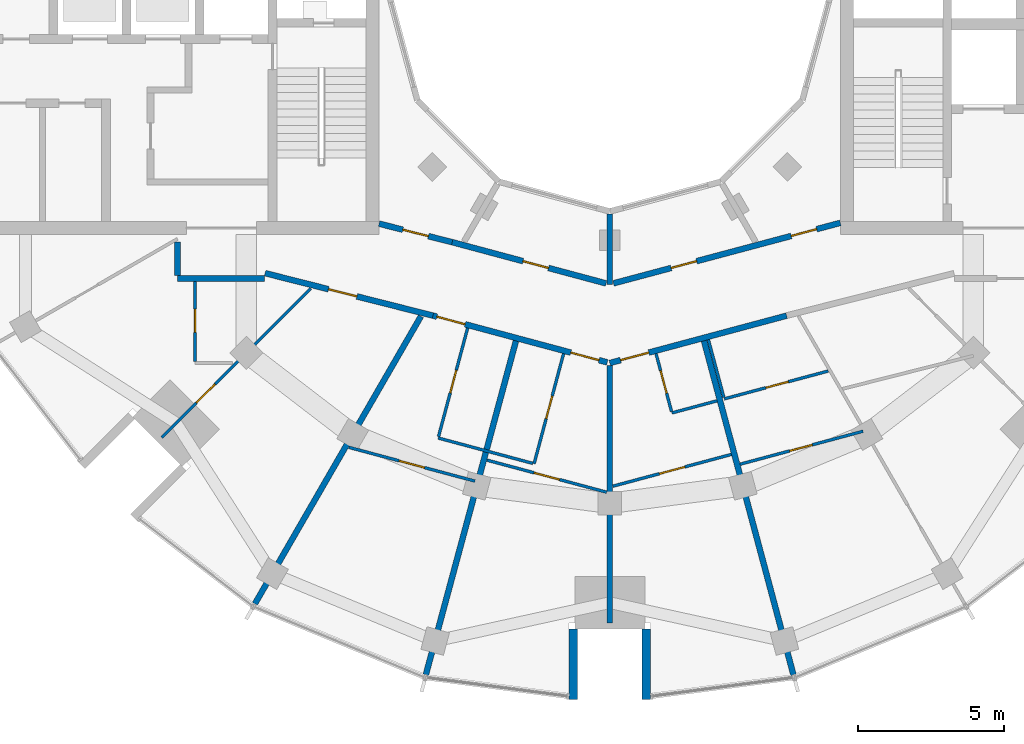
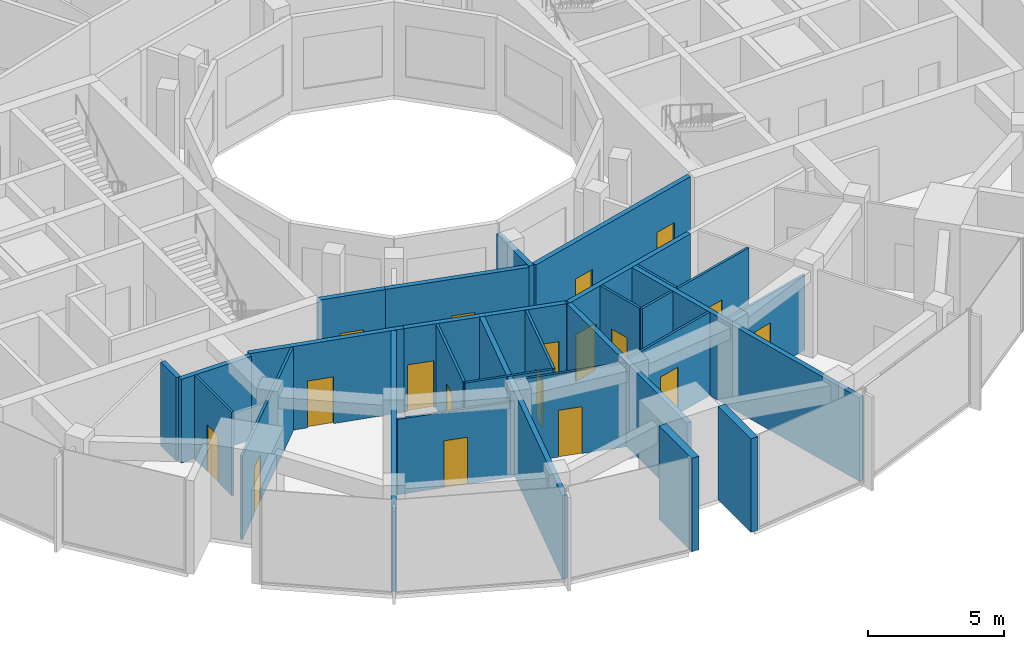
# One storey, part 8 of 15: 28 walls, 18 doors, 18 openings.
"""IFC4 building model written with IfcOpenShell, lengths in metres."""

from ifc_helpers import new_model, si_unit, direction, frame, frame_2d, origin, place, context, subcontext, project, spatial, rectangle, extrude, material, layer, layer_set, type_object, element, fill, save


model = new_model("IFC4")

# Units and contexts
model_context = context("Model", 3, precision=1e-05, world=origin(), true_north=direction((0.0, 1.0)))
body_context = subcontext(model_context, "Body", "Model", "MODEL_VIEW")
ifc_project = project(units=[si_unit("LENGTHUNIT", "METRE"), si_unit("AREAUNIT", "SQUARE_METRE"), si_unit("VOLUMEUNIT", "CUBIC_METRE"), si_unit("PLANEANGLEUNIT", "RADIAN"), si_unit("MASSUNIT", "GRAM", prefix="KILO")], contexts=[model_context])

# Site, building, storey
site_placement = place(None, origin())
site = spatial("IfcSite", under=ifc_project, at=site_placement, CompositionType="ELEMENT")
building_placement = place(site_placement, origin())
building = spatial("IfcBuilding", under=site, at=building_placement, Name="Torre Brocal", CompositionType="ELEMENT")
storey_placement = place(building_placement, frame((0.0, 0.0, 284.10009765625)))
storey = spatial("IfcBuildingStorey", under=building, at=storey_placement, Name="L65", CompositionType="ELEMENT", Elevation=284.10009765625)

# Walls
ifc_material_1 = material(Name="Concrete C50", Category="concrete")
ifc_layer_1 = layer(ifc_material_1, 0.300048828125)
ifc_layer_set_1 = layer_set([ifc_layer_1], Name="Concrete C50")
wall_type_1 = type_object("IfcWallType", Name="NOTCH RETURN WALL 300 C50", PredefinedType="NOTDEFINED", material=ifc_layer_set_1)
for number, where, z_axis, x_axis, name in (
    (1, (78.75, 53.10009765625, 0.0), (0.0, 0.0, 1.0), (0.0, -1.0, 0.0), "NOTCH RETURN WALL"),
    (2, (81.25, 53.10009765625, 0.0), (0.0, 0.0, 1.0), (0.0, -1.0, 0.0), "NOTCH RETURN WALL"),
):
    element("IfcWall", number, at=place(storey_placement, frame(where, z_axis=z_axis, x_axis=x_axis)), inside=storey, type_object=wall_type_1, Name=name, PredefinedType="NOTDEFINED", context=body_context, shape_type="SweptSolid", body=[
        extrude(rectangle(XDim=2.415771484375, YDim=0.300048828125, at=frame_2d((1.2080078125, 0.0))), origin(), (0.0, 0.0, 1.0), 4.199951171875),
    ])

# Wall, opening, door
ifc_material_2 = material(Name="Gypsum board", Category="Gypsum")
ifc_layer_2 = layer(ifc_material_2, 0.10009765625)
ifc_layer_set_2 = layer_set([ifc_layer_2], Name="Gypsum board")
wall_type_2 = type_object("IfcWallType", Name="PARTITION 100", PredefinedType="PARTITIONING", material=ifc_layer_set_2)
wall_1_placement = place(storey_placement, frame((64.655517578125, 59.655517578125, 0.0), z_axis=(0.0, 0.0, 1.0), x_axis=(0.707106781187, 0.707106781187, 0.0)))
wall_1 = element("IfcWall", 3, at=wall_1_placement, inside=storey, type_object=wall_type_2, Name="BATHROOM WALL", PredefinedType="PARTITIONING", context=body_context, shape_type="SweptSolid", body=[
    extrude(rectangle(XDim=7.22021484375, YDim=0.10009765625, at=frame_2d((3.610107421875, 0.0))), origin(), (0.0, 0.0, 1.0), 3.75),
])
opening_1_placement = place(wall_1_placement, frame((1.68408203125, 0.0, 0.0)))
opening_1 = element("IfcOpeningElement", 4, at=opening_1_placement, cuts=wall_1, Name="Opening N01-D38", PredefinedType="OPENING", context=body_context, shape_type="SweptSolid", body=[
    extrude(rectangle(XDim=0.89990234375, YDim=2.10009765625, at=frame_2d((0.449951171875, 1.050048828125))), frame((0.0, 0.06005859375, 0.0), z_axis=(0.0, -1.0, 0.0), x_axis=(1.0, 0.0, 0.0)), (0.0, 0.0, 1.0), 0.1201171875),
])
ifc_material_3 = material(Name="Timber", Category="wood")
door_type_1 = type_object("IfcDoorType", Name="ROOM DOOR 900X2100", OperationType="SINGLE_SWING_LEFT", PredefinedType="DOOR", material=ifc_material_3)
door_1_placement = place(opening_1_placement, origin())
door_1 = element("IfcDoor", 5, at=door_1_placement, inside=storey, type_object=door_type_1, Name="N01-D38", OperationType="SINGLE_SWING_RIGHT", OverallHeight=2.10009765625, OverallWidth=0.89990234375, PredefinedType="DOOR", context=body_context, shape_type="SweptSolid", body=[
    extrude(rectangle(XDim=0.89990234375, YDim=2.10009765625, at=frame_2d((0.449951171875, 1.050048828125))), frame((0.0, 0.02490234375, 0.0), z_axis=(0.0, -1.0, 0.0), x_axis=(1.0, 0.0, 0.0)), (0.0, 0.0, 1.0), 0.050048828125),
])
fill(opening_1, door_1)

wall_2_placement = place(storey_placement, frame((65.800048828125, 62.25, 0.0), z_axis=(0.0, 0.0, 1.0), x_axis=(0.0, 1.0, 0.0)))
wall_2 = element("IfcWall", 6, at=wall_2_placement, inside=storey, type_object=wall_type_2, Name="BATHROOM WALL", PredefinedType="PARTITIONING", context=body_context, shape_type="SweptSolid", body=[
    extrude(rectangle(XDim=2.75, YDim=0.10009765625, at=frame_2d((1.375, 0.0))), origin(), (0.0, 0.0, 1.0), 3.75),
])
opening_2_placement = place(wall_2_placement, frame((1.0, 0.0, 0.0)))
opening_2 = element("IfcOpeningElement", 7, at=opening_2_placement, cuts=wall_2, Name="Opening N01-D39", PredefinedType="OPENING", context=body_context, shape_type="SweptSolid", body=[
    extrude(rectangle(XDim=0.800048828125, YDim=2.10009765625, at=frame_2d((0.39990234375, 1.050048828125))), frame((0.0, 0.06005859375, 0.0), z_axis=(0.0, -1.0, 0.0), x_axis=(1.0, 0.0, 0.0)), (0.0, 0.0, 1.0), 0.1201171875),
])
ifc_material_4 = material(Name="Timber", Category="wood")
door_type_2 = type_object("IfcDoorType", Name="BATHROOM DOOR 800X2100", OperationType="SINGLE_SWING_LEFT", PredefinedType="DOOR", material=ifc_material_4)
door_2_placement = place(opening_2_placement, frame((0.800048828125, 0.0, 0.0), z_axis=(0.0, 0.0, 1.0), x_axis=(-1.0, 0.0, 0.0)))
door_2 = element("IfcDoor", 8, at=door_2_placement, inside=storey, type_object=door_type_2, Name="N01-D39", OperationType="SINGLE_SWING_LEFT", OverallHeight=2.10009765625, OverallWidth=0.800048828125, PredefinedType="DOOR", context=body_context, shape_type="SweptSolid", body=[
    extrude(rectangle(XDim=0.800048828125, YDim=2.10009765625, at=frame_2d((0.39990234375, 1.050048828125))), frame((0.0, 0.02490234375, 0.0), z_axis=(0.0, -1.0, 0.0), x_axis=(1.0, 0.0, 0.0)), (0.0, 0.0, 1.0), 0.050048828125),
])
fill(opening_2, door_2)

wall_3_placement = place(storey_placement, frame((74.135986328125, 59.686279296875, 0.0), z_axis=(0.0, 0.0, 1.0), x_axis=(0.259020336752, 0.965871867873, 0.0)))
wall_3 = element("IfcWall", 9, at=wall_3_placement, inside=storey, type_object=wall_type_2, Name="BATHROOM WALL", PredefinedType="PARTITIONING", context=body_context, shape_type="SweptSolid", body=[
    extrude(rectangle(XDim=3.849365234375, YDim=0.10009765625, at=frame_2d((1.9248046875, 0.0))), origin(), (0.0, 0.0, 1.0), 3.75),
])
opening_3_placement = place(wall_3_placement, frame((1.5498046875, 0.0, 0.0)))
opening_3 = element("IfcOpeningElement", 10, at=opening_3_placement, cuts=wall_3, Name="Opening N01-D36", PredefinedType="OPENING", context=body_context, shape_type="SweptSolid", body=[
    extrude(rectangle(XDim=0.800048828125, YDim=2.10009765625, at=frame_2d((0.39990234375, 1.050048828125))), frame((0.0, 0.06005859375, 0.0), z_axis=(0.0, -1.0, 0.0), x_axis=(1.0, 0.0, 0.0)), (0.0, 0.0, 1.0), 0.1201171875),
])
door_3_placement = place(opening_3_placement, frame((0.800048828125, 0.0, 0.0), z_axis=(0.0, 0.0, 1.0), x_axis=(-1.0, 0.0, 0.0)))
door_3 = element("IfcDoor", 11, at=door_3_placement, inside=storey, type_object=door_type_2, Name="N01-D36", OperationType="SINGLE_SWING_LEFT", OverallHeight=2.10009765625, OverallWidth=0.800048828125, PredefinedType="DOOR", context=body_context, shape_type="SweptSolid", body=[
    extrude(rectangle(XDim=0.800048828125, YDim=2.10009765625, at=frame_2d((0.39990234375, 1.050048828125))), frame((0.0, 0.02490234375, 0.0), z_axis=(0.0, -1.0, 0.0), x_axis=(1.0, 0.0, 0.0)), (0.0, 0.0, 1.0), 0.050048828125),
])
fill(opening_3, door_3)

# Wall
wall_4_placement = place(storey_placement, frame((74.123046875, 59.637939453125, 0.0), z_axis=(0.0, 0.0, 1.0), x_axis=(0.965820152698, -0.259213102761, 0.0)))
element("IfcWall", 12, at=wall_4_placement, inside=storey, type_object=wall_type_2, Name="BATHROOM WALL", PredefinedType="PARTITIONING", context=body_context, shape_type="SweptSolid", body=[
    extrude(rectangle(XDim=3.35107421875, YDim=0.10009765625, at=frame_2d((1.675537109375, 0.0))), origin(), (0.0, 0.0, 1.0), 3.75),
])

# Wall, opening, door
wall_5_placement = place(storey_placement, frame((75.794677734375, 58.87939453125, 0.0), z_axis=(0.0, 0.0, 1.0), x_axis=(0.965895141847, -0.258933533857, 0.0)))
wall_5 = element("IfcWall", 13, at=wall_5_placement, inside=storey, type_object=wall_type_2, Name="ROOM PARTITION", PredefinedType="PARTITIONING", context=body_context, shape_type="SweptSolid", body=[
    extrude(rectangle(XDim=4.243896484375, YDim=0.10009765625, at=frame_2d((2.1220703125, 0.0))), origin(), (0.0, 0.0, 1.0), 3.75),
])
opening_4_placement = place(wall_5_placement, frame((1.671630859375, 0.0, 0.0)))
opening_4 = element("IfcOpeningElement", 14, at=opening_4_placement, cuts=wall_5, Name="Opening N01-D31", PredefinedType="OPENING", context=body_context, shape_type="SweptSolid", body=[
    extrude(rectangle(XDim=0.89990234375, YDim=2.10009765625, at=frame_2d((0.449951171875, 1.050048828125))), frame((0.0, 0.06005859375, 0.0), z_axis=(0.0, -1.0, 0.0), x_axis=(1.0, 0.0, 0.0)), (0.0, 0.0, 1.0), 0.1201171875),
])
door_4_placement = place(opening_4_placement, origin())
door_4 = element("IfcDoor", 15, at=door_4_placement, inside=storey, type_object=door_type_1, Name="N01-D31", OperationType="SINGLE_SWING_LEFT", OverallHeight=2.10009765625, OverallWidth=0.89990234375, PredefinedType="DOOR", context=body_context, shape_type="SweptSolid", body=[
    extrude(rectangle(XDim=0.89990234375, YDim=2.10009765625, at=frame_2d((0.449951171875, 1.050048828125))), frame((0.0, 0.02490234375, 0.0), z_axis=(0.0, -1.0, 0.0), x_axis=(1.0, 0.0, 0.0)), (0.0, 0.0, 1.0), 0.050048828125),
])
fill(opening_4, door_4)

wall_6_placement = place(storey_placement, frame((77.407958984375, 58.757080078125, 0.0), z_axis=(0.0, 0.0, 1.0), x_axis=(0.258718354301, 0.965952800683, 0.0)))
wall_6 = element("IfcWall", 16, at=wall_6_placement, inside=storey, type_object=wall_type_2, Name="BATHROOM WALL", PredefinedType="PARTITIONING", context=body_context, shape_type="SweptSolid", body=[
    extrude(rectangle(XDim=3.900146484375, YDim=0.10009765625, at=frame_2d((1.9501953125, 0.0))), origin(), (0.0, 0.0, 1.0), 3.75),
])
opening_5_placement = place(wall_6_placement, frame((1.60009765625, 0.0, 0.0)))
opening_5 = element("IfcOpeningElement", 17, at=opening_5_placement, cuts=wall_6, Name="Opening N01-D33", PredefinedType="OPENING", context=body_context, shape_type="SweptSolid", body=[
    extrude(rectangle(XDim=0.800048828125, YDim=2.10009765625, at=frame_2d((0.39990234375, 1.050048828125))), frame((0.0, 0.06005859375, 0.0), z_axis=(0.0, -1.0, 0.0), x_axis=(1.0, 0.0, 0.0)), (0.0, 0.0, 1.0), 0.1201171875),
])
door_5_placement = place(opening_5_placement, origin())
door_5 = element("IfcDoor", 18, at=door_5_placement, inside=storey, type_object=door_type_2, Name="N01-D33", OperationType="SINGLE_SWING_RIGHT", OverallHeight=2.10009765625, OverallWidth=0.800048828125, PredefinedType="DOOR", context=body_context, shape_type="SweptSolid", body=[
    extrude(rectangle(XDim=0.800048828125, YDim=2.10009765625, at=frame_2d((0.39990234375, 1.050048828125))), frame((0.0, 0.02490234375, 0.0), z_axis=(0.0, -1.0, 0.0), x_axis=(1.0, 0.0, 0.0)), (0.0, 0.0, 1.0), 0.050048828125),
])
fill(opening_5, door_5)

wall_7_placement = place(storey_placement, frame((80.106201171875, 57.987548828125, 0.0), z_axis=(0.0, 0.0, 1.0), x_axis=(0.965893555682, 0.25893945063, 0.0)))
wall_7 = element("IfcWall", 19, at=wall_7_placement, inside=storey, type_object=wall_type_2, Name="ROOM PARTITION", PredefinedType="PARTITIONING", context=body_context, shape_type="SweptSolid", body=[
    extrude(rectangle(XDim=4.200439453125, YDim=0.10009765625, at=frame_2d((2.10009765625, 0.0))), origin(), (0.0, 0.0, 1.0), 3.75),
])
opening_6_placement = place(wall_7_placement, frame((1.645263671875, 0.0, 0.0)))
opening_6 = element("IfcOpeningElement", 20, at=opening_6_placement, cuts=wall_7, Name="Opening N01-D28", PredefinedType="OPENING", context=body_context, shape_type="SweptSolid", body=[
    extrude(rectangle(XDim=0.89990234375, YDim=2.10009765625, at=frame_2d((0.449951171875, 1.050048828125))), frame((0.0, 0.06005859375, 0.0), z_axis=(0.0, -1.0, 0.0), x_axis=(1.0, 0.0, 0.0)), (0.0, 0.0, 1.0), 0.1201171875),
])
door_6_placement = place(opening_6_placement, origin())
door_6 = element("IfcDoor", 21, at=door_6_placement, inside=storey, type_object=door_type_1, Name="N01-D28", OperationType="SINGLE_SWING_LEFT", OverallHeight=2.10009765625, OverallWidth=0.89990234375, PredefinedType="DOOR", context=body_context, shape_type="SweptSolid", body=[
    extrude(rectangle(XDim=0.89990234375, YDim=2.10009765625, at=frame_2d((0.449951171875, 1.050048828125))), frame((0.0, 0.02490234375, 0.0), z_axis=(0.0, -1.0, 0.0), x_axis=(1.0, 0.0, 0.0)), (0.0, 0.0, 1.0), 0.050048828125),
])
fill(opening_6, door_6)

wall_8_placement = place(storey_placement, frame((81.5830078125, 62.5244140625, 0.0), z_axis=(0.0, 0.0, 1.0), x_axis=(0.258559472989, -0.965995341049, 0.0)))
wall_8 = element("IfcWall", 22, at=wall_8_placement, inside=storey, type_object=wall_type_2, Name="BATHROOM WALL", PredefinedType="PARTITIONING", context=body_context, shape_type="SweptSolid", body=[
    extrude(rectangle(XDim=2.050048828125, YDim=0.10009765625, at=frame_2d((1.02490234375, 0.0))), origin(), (0.0, 0.0, 1.0), 3.75),
])
opening_7_placement = place(wall_8_placement, frame((0.599853515625, 0.0, 0.0)))
opening_7 = element("IfcOpeningElement", 23, at=opening_7_placement, cuts=wall_8, Name="Opening N01-D30", PredefinedType="OPENING", context=body_context, shape_type="SweptSolid", body=[
    extrude(rectangle(XDim=0.800048828125, YDim=2.10009765625, at=frame_2d((0.39990234375, 1.050048828125))), frame((0.0, 0.06005859375, 0.0), z_axis=(0.0, -1.0, 0.0), x_axis=(1.0, 0.0, 0.0)), (0.0, 0.0, 1.0), 0.1201171875),
])
door_7_placement = place(opening_7_placement, origin())
door_7 = element("IfcDoor", 24, at=door_7_placement, inside=storey, type_object=door_type_2, Name="N01-D30", OperationType="SINGLE_SWING_LEFT", OverallHeight=2.10009765625, OverallWidth=0.800048828125, PredefinedType="DOOR", context=body_context, shape_type="SweptSolid", body=[
    extrude(rectangle(XDim=0.800048828125, YDim=2.10009765625, at=frame_2d((0.39990234375, 1.050048828125))), frame((0.0, 0.02490234375, 0.0), z_axis=(0.0, -1.0, 0.0), x_axis=(1.0, 0.0, 0.0)), (0.0, 0.0, 1.0), 0.050048828125),
])
fill(opening_7, door_7)

# Walls
wall_9_placement = place(storey_placement, frame((82.1259765625, 60.495849609375, 0.0), z_axis=(0.0, 0.0, 1.0), x_axis=(0.965930342518, 0.258802189717, 0.0)))
element("IfcWall", 25, at=wall_9_placement, inside=storey, type_object=wall_type_2, Name="BATHROOM WALL", PredefinedType="PARTITIONING", context=body_context, shape_type="SweptSolid", body=[
    extrude(rectangle(XDim=1.599853515625, YDim=0.10009765625, at=frame_2d((0.7998046875, 0.0))), origin(), (0.0, 0.0, 1.0), 3.75),
])
wall_10_placement = place(storey_placement, frame((83.373779296875, 63.00439453125, 0.0), z_axis=(0.0, 0.0, 1.0), x_axis=(0.259144823933, -0.965838475227, 0.0)))
element("IfcWall", 26, at=wall_10_placement, inside=storey, type_object=wall_type_2, Name="BATHROOM WALL", PredefinedType="PARTITIONING", context=body_context, shape_type="SweptSolid", body=[
    extrude(rectangle(XDim=2.050048828125, YDim=0.10009765625, at=frame_2d((1.02490234375, 0.0))), origin(), (0.0, 0.0, 1.0), 3.75),
])

# Wall, opening, door
wall_11_placement = place(storey_placement, frame((83.91796875, 60.97607421875, 0.0), z_axis=(0.0, 0.0, 1.0), x_axis=(0.965914351064, 0.258861867428, 0.0)))
wall_11 = element("IfcWall", 27, at=wall_11_placement, inside=storey, type_object=wall_type_2, Name="BATHROOM WALL", PredefinedType="PARTITIONING", context=body_context, shape_type="SweptSolid", body=[
    extrude(rectangle(XDim=3.686767578125, YDim=0.10009765625, at=frame_2d((1.84326171875, 0.0))), origin(), (0.0, 0.0, 1.0), 3.75),
])
opening_8_placement = place(wall_11_placement, frame((1.473388671875, 0.0, 0.0)))
opening_8 = element("IfcOpeningElement", 28, at=opening_8_placement, cuts=wall_11, Name="Opening N01-D26", PredefinedType="OPENING", context=body_context, shape_type="SweptSolid", body=[
    extrude(rectangle(XDim=0.800048828125, YDim=2.10009765625, at=frame_2d((0.39990234375, 1.050048828125))), frame((0.0, 0.06005859375, 0.0), z_axis=(0.0, -1.0, 0.0), x_axis=(1.0, 0.0, 0.0)), (0.0, 0.0, 1.0), 0.1201171875),
])
door_8_placement = place(opening_8_placement, origin())
door_8 = element("IfcDoor", 29, at=door_8_placement, inside=storey, type_object=door_type_2, Name="N01-D26", OperationType="SINGLE_SWING_RIGHT", OverallHeight=2.10009765625, OverallWidth=0.800048828125, PredefinedType="DOOR", context=body_context, shape_type="SweptSolid", body=[
    extrude(rectangle(XDim=0.800048828125, YDim=2.10009765625, at=frame_2d((0.39990234375, 1.050048828125))), frame((0.0, 0.02490234375, 0.0), z_axis=(0.0, -1.0, 0.0), x_axis=(1.0, 0.0, 0.0)), (0.0, 0.0, 1.0), 0.050048828125),
])
fill(opening_8, door_8)

ifc_material_5 = material(Name="Gypsum board", Category="Gypsum")
ifc_layer_3 = layer(ifc_material_5, 0.10009765625)
ifc_layer_set_3 = layer_set([ifc_layer_3], Name="Gypsum board")
wall_type_3 = type_object("IfcWallType", Name="PARTITION 100 UNDER BEAM 820", PredefinedType="PARTITIONING", material=ifc_layer_set_3)
wall_12_placement = place(storey_placement, frame((71.068359375, 59.3173828125, 0.0), z_axis=(0.0, 0.0, 1.0), x_axis=(0.965923173799, -0.258828944127, 0.0)))
wall_12 = element("IfcWall", 30, at=wall_12_placement, inside=storey, type_object=wall_type_3, Name="ROOM PARTITION", PredefinedType="PARTITIONING", context=body_context, shape_type="SweptSolid", body=[
    extrude(rectangle(XDim=4.46826171875, YDim=0.10009765625, at=frame_2d((2.234130859375, 0.0))), origin(), (0.0, 0.0, 1.0), 3.3798828125),
])
opening_9_placement = place(wall_12_placement, frame((1.779296875, 0.0, 0.0)))
opening_9 = element("IfcOpeningElement", 31, at=opening_9_placement, cuts=wall_12, Name="Opening N01-D34", PredefinedType="OPENING", context=body_context, shape_type="SweptSolid", body=[
    extrude(rectangle(XDim=0.89990234375, YDim=2.10009765625, at=frame_2d((0.449951171875, 1.050048828125))), frame((0.0, 0.06005859375, 0.0), z_axis=(0.0, -1.0, 0.0), x_axis=(1.0, 0.0, 0.0)), (0.0, 0.0, 1.0), 0.1201171875),
])
door_9_placement = place(opening_9_placement, origin())
door_9 = element("IfcDoor", 32, at=door_9_placement, inside=storey, type_object=door_type_1, Name="N01-D34", OperationType="SINGLE_SWING_LEFT", OverallHeight=2.10009765625, OverallWidth=0.89990234375, PredefinedType="DOOR", context=body_context, shape_type="SweptSolid", body=[
    extrude(rectangle(XDim=0.89990234375, YDim=2.10009765625, at=frame_2d((0.449951171875, 1.050048828125))), frame((0.0, 0.02490234375, 0.0), z_axis=(0.0, -1.0, 0.0), x_axis=(1.0, 0.0, 0.0)), (0.0, 0.0, 1.0), 0.050048828125),
])
fill(opening_9, door_9)

wall_13_placement = place(storey_placement, frame((84.460693359375, 58.739990234375, 0.0), z_axis=(0.0, 0.0, 1.0), x_axis=(0.965893774063, 0.258938636026, 0.0)))
wall_13 = element("IfcWall", 33, at=wall_13_placement, inside=storey, type_object=wall_type_3, Name="BATHROOM WALL", PredefinedType="PARTITIONING", context=body_context, shape_type="SweptSolid", body=[
    extrude(rectangle(XDim=4.35791015625, YDim=0.10009765625, at=frame_2d((2.178955078125, 0.0))), origin(), (0.0, 0.0, 1.0), 3.3798828125),
])
opening_10_placement = place(wall_13_placement, frame((1.759033203125, 0.0, 0.0)))
opening_10 = element("IfcOpeningElement", 34, at=opening_10_placement, cuts=wall_13, Name="Opening N01-D27", PredefinedType="OPENING", context=body_context, shape_type="SweptSolid", body=[
    extrude(rectangle(XDim=0.800048828125, YDim=2.10009765625, at=frame_2d((0.39990234375, 1.050048828125))), frame((0.0, 0.06005859375, 0.0), z_axis=(0.0, -1.0, 0.0), x_axis=(1.0, 0.0, 0.0)), (0.0, 0.0, 1.0), 0.1201171875),
])
door_10_placement = place(opening_10_placement, frame((0.800048828125, 0.0, 0.0), z_axis=(0.0, 0.0, 1.0), x_axis=(-1.0, 0.0, 0.0)))
door_10 = element("IfcDoor", 35, at=door_10_placement, inside=storey, type_object=door_type_2, Name="N01-D27", OperationType="SINGLE_SWING_RIGHT", OverallHeight=2.10009765625, OverallWidth=0.800048828125, PredefinedType="DOOR", context=body_context, shape_type="SweptSolid", body=[
    extrude(rectangle(XDim=0.800048828125, YDim=2.10009765625, at=frame_2d((0.39990234375, 1.050048828125))), frame((0.0, 0.02490234375, 0.0), z_axis=(0.0, -1.0, 0.0), x_axis=(1.0, 0.0, 0.0)), (0.0, 0.0, 1.0), 0.050048828125),
])
fill(opening_10, door_10)

# Walls
ifc_material_6 = material(Name="Gypsum board", Category="Gypsum")
ifc_layer_4 = layer(ifc_material_6, 0.199951171875)
ifc_layer_set_4 = layer_set([ifc_layer_4], Name="Gypsum board")
wall_type_4 = type_object("IfcWallType", Name="PARTITION 200 EI60", PredefinedType="PARTITIONING", material=ifc_layer_set_4)
wall_14_placement = place(storey_placement, frame((65.199951171875, 65.199951171875, 0.0), z_axis=(0.0, 0.0, 1.0), x_axis=(0.0, 1.0, 0.0)))
element("IfcWall", 36, at=wall_14_placement, inside=storey, type_object=wall_type_4, Name="GUESTROOM CORRIDOR WALL", PredefinedType="PARTITIONING", context=body_context, shape_type="SweptSolid", body=[
    extrude(rectangle(XDim=1.150146484375, YDim=0.199951171875, at=frame_2d((0.5751953125, 0.0))), origin(), (0.0, 0.0, 1.0), 3.75),
])
wall_15_placement = place(storey_placement, frame((65.199951171875, 65.10009765625, 0.0), z_axis=(0.0, 0.0, 1.0), x_axis=(1.0, 0.0, 0.0)))
element("IfcWall", 37, at=wall_15_placement, inside=storey, type_object=wall_type_4, Name="GUESTROOM CORRIDOR WALL", PredefinedType="PARTITIONING", context=body_context, shape_type="SweptSolid", body=[
    extrude(rectangle(XDim=2.97998046875, YDim=0.199951171875, at=frame_2d((1.489990234375, 0.0))), origin(), (0.0, 0.0, 1.0), 3.75),
])
wall_16_placement = place(storey_placement, frame((67.848388671875, 53.959228515625, 0.0), z_axis=(0.0, 0.0, 1.0), x_axis=(0.500121565392, 0.865955206595, 0.0)))
element("IfcWall", 38, at=wall_16_placement, inside=storey, type_object=wall_type_4, Name="PARTY PARTITION", PredefinedType="PARTITIONING", context=body_context, shape_type="SweptSolid", body=[
    extrude(rectangle(XDim=11.366455078125, YDim=0.199951171875, at=frame_2d((5.68310546875, 0.0))), origin(), (0.0, 0.0, 1.0), 3.75),
])

# Wall, opening, door
wall_17_placement = place(storey_placement, frame((68.199951171875, 65.280029296875, 0.0), z_axis=(0.0, 0.0, 1.0), x_axis=(0.969440802773, -0.24532535523, 0.0)))
wall_17 = element("IfcWall", 39, at=wall_17_placement, inside=storey, type_object=wall_type_4, Name="FLAT ENTRANCE WALL", PredefinedType="PARTITIONING", context=body_context, shape_type="SweptSolid", body=[
    extrude(rectangle(XDim=5.92822265625, YDim=0.199951171875, at=frame_2d((2.964111328125, 0.0))), origin(), (0.0, 0.0, 1.0), 3.75),
])
opening_11_placement = place(wall_17_placement, frame((2.238525390625, 0.0, 0.0)))
opening_11 = element("IfcOpeningElement", 40, at=opening_11_placement, cuts=wall_17, Name="Opening N01-D37", PredefinedType="OPENING", context=body_context, shape_type="SweptSolid", body=[
    extrude(rectangle(XDim=1.0, YDim=2.10009765625, at=frame_2d((0.5, 1.050048828125))), frame((0.0, 0.10986328125, 0.0), z_axis=(0.0, -1.0, 0.0), x_axis=(1.0, 0.0, 0.0)), (0.0, 0.0, 1.0), 0.219970703125),
])
ifc_material_7 = material(Name="Timber", Category="wood")
door_type_3 = type_object("IfcDoorType", Name="FLAT ENTRY DOOR FD30S 1000X2100", OperationType="SINGLE_SWING_RIGHT", PredefinedType="DOOR", material=ifc_material_7)
door_11_placement = place(opening_11_placement, frame((1.0, 0.0, 0.0), z_axis=(0.0, 0.0, 1.0), x_axis=(-1.0, 0.0, 0.0)))
door_11 = element("IfcDoor", 41, at=door_11_placement, inside=storey, type_object=door_type_3, Name="N01-D37", OperationType="SINGLE_SWING_RIGHT", OverallHeight=2.10009765625, OverallWidth=1.0, PredefinedType="DOOR", context=body_context, shape_type="SweptSolid", body=[
    extrude(rectangle(XDim=1.0, YDim=2.10009765625, at=frame_2d((0.5, 1.050048828125))), frame((0.0, 0.02490234375, 0.0), z_axis=(0.0, -1.0, 0.0), x_axis=(1.0, 0.0, 0.0)), (0.0, 0.0, 1.0), 0.050048828125),
])
fill(opening_11, door_11)

wall_18_placement = place(storey_placement, frame((72.10009765625, 66.97509765625, 0.0), z_axis=(0.0, 0.0, 1.0), x_axis=(0.969471314457, -0.245204752086, 0.0)))
wall_18 = element("IfcWall", 42, at=wall_18_placement, inside=storey, type_object=wall_type_4, Name="CORRIDOR WALL", PredefinedType="PARTITIONING", context=body_context, shape_type="SweptSolid", body=[
    extrude(rectangle(XDim=2.581787109375, YDim=0.199951171875, at=frame_2d((1.291015625, 0.0))), origin(), (0.0, 0.0, 1.0), 3.75),
])
opening_12_placement = place(wall_18_placement, frame((0.8408203125, 0.0, 0.0)))
opening_12 = element("IfcOpeningElement", 43, at=opening_12_placement, cuts=wall_18, Name="Opening N01-D44", PredefinedType="OPENING", context=body_context, shape_type="SweptSolid", body=[
    extrude(rectangle(XDim=0.89990234375, YDim=2.10009765625, at=frame_2d((0.449951171875, 1.050048828125))), frame((0.0, 0.10986328125, 0.0), z_axis=(0.0, -1.0, 0.0), x_axis=(1.0, 0.0, 0.0)), (0.0, 0.0, 1.0), 0.219970703125),
])
door_12_placement = place(opening_12_placement, origin())
door_12 = element("IfcDoor", 44, at=door_12_placement, inside=storey, type_object=door_type_1, Name="N01-D44", OperationType="SINGLE_SWING_LEFT", OverallHeight=2.10009765625, OverallWidth=0.89990234375, PredefinedType="DOOR", context=body_context, shape_type="SweptSolid", body=[
    extrude(rectangle(XDim=0.89990234375, YDim=2.10009765625, at=frame_2d((0.449951171875, 1.050048828125))), frame((0.0, 0.02490234375, 0.0), z_axis=(0.0, -1.0, 0.0), x_axis=(1.0, 0.0, 0.0)), (0.0, 0.0, 1.0), 0.050048828125),
])
fill(opening_12, door_12)

# Wall
wall_19_placement = place(storey_placement, frame((73.701904296875, 51.5322265625, 0.0), z_axis=(0.0, 0.0, 1.0), x_axis=(0.2605791587, 0.965452485652, 0.0)))
element("IfcWall", 45, at=wall_19_placement, inside=storey, type_object=wall_type_4, Name="BATHROOM WALL", PredefinedType="PARTITIONING", context=body_context, shape_type="SweptSolid", body=[
    extrude(rectangle(XDim=11.837890625, YDim=0.199951171875, at=frame_2d((5.9189453125, 0.0))), origin(), (0.0, 0.0, 1.0), 3.75),
])

# Wall, openings, doors
wall_20_placement = place(storey_placement, frame((73.947021484375, 63.826171875, 0.0), z_axis=(0.0, 0.0, 1.0), x_axis=(0.965872508768, -0.25901794688, 0.0)))
wall_20 = element("IfcWall", 46, at=wall_20_placement, inside=storey, type_object=wall_type_4, Name="FLAT ENTRANCE WALL", PredefinedType="PARTITIONING", context=body_context, shape_type="SweptSolid", body=[
    extrude(rectangle(XDim=6.176513671875, YDim=0.199951171875, at=frame_2d((3.08837890625, 0.0))), origin(), (0.0, 0.0, 1.0), 3.75),
])
opening_13_placement = place(wall_20_placement, frame((4.885009765625, 0.0, 0.0)))
opening_13 = element("IfcOpeningElement", 47, at=opening_13_placement, cuts=wall_20, Name="Opening N01-D32", PredefinedType="OPENING", context=body_context, shape_type="SweptSolid", body=[
    extrude(rectangle(XDim=1.0, YDim=2.10009765625, at=frame_2d((0.5, 1.050048828125))), frame((0.0, 0.10986328125, 0.0), z_axis=(0.0, -1.0, 0.0), x_axis=(1.0, 0.0, 0.0)), (0.0, 0.0, 1.0), 0.219970703125),
])
opening_14_placement = place(wall_20_placement, frame((0.13720703125, 0.0, 0.0)))
opening_14 = element("IfcOpeningElement", 48, at=opening_14_placement, cuts=wall_20, Name="Opening N01-D35", PredefinedType="OPENING", context=body_context, shape_type="SweptSolid", body=[
    extrude(rectangle(XDim=1.0, YDim=2.10009765625, at=frame_2d((0.5, 1.050048828125))), frame((0.0, 0.10986328125, 0.0), z_axis=(0.0, -1.0, 0.0), x_axis=(1.0, 0.0, 0.0)), (0.0, 0.0, 1.0), 0.219970703125),
])
door_13_placement = place(opening_13_placement, frame((1.0, 0.0, 0.0), z_axis=(0.0, 0.0, 1.0), x_axis=(-1.0, 0.0, 0.0)))
door_13 = element("IfcDoor", 49, at=door_13_placement, inside=storey, type_object=door_type_3, Name="N01-D32", OperationType="SINGLE_SWING_RIGHT", OverallHeight=2.10009765625, OverallWidth=1.0, PredefinedType="DOOR", context=body_context, shape_type="SweptSolid", body=[
    extrude(rectangle(XDim=1.0, YDim=2.10009765625, at=frame_2d((0.5, 1.050048828125))), frame((0.0, 0.02490234375, 0.0), z_axis=(0.0, -1.0, 0.0), x_axis=(1.0, 0.0, 0.0)), (0.0, 0.0, 1.0), 0.050048828125),
])
fill(opening_13, door_13)
door_14_placement = place(opening_14_placement, frame((1.0, 0.0, 0.0), z_axis=(0.0, 0.0, 1.0), x_axis=(-1.0, 0.0, 0.0)))
door_14 = element("IfcDoor", 50, at=door_14_placement, inside=storey, type_object=door_type_3, Name="N01-D35", OperationType="SINGLE_SWING_LEFT", OverallHeight=2.10009765625, OverallWidth=1.0, PredefinedType="DOOR", context=body_context, shape_type="SweptSolid", body=[
    extrude(rectangle(XDim=1.0, YDim=2.10009765625, at=frame_2d((0.5, 1.050048828125))), frame((0.0, 0.02490234375, 0.0), z_axis=(0.0, -1.0, 0.0), x_axis=(1.0, 0.0, 0.0)), (0.0, 0.0, 1.0), 0.050048828125),
])
fill(opening_14, door_14)

# Wall, opening, door
wall_21_placement = place(storey_placement, frame((74.60302734375, 66.342041015625, 0.0), z_axis=(0.0, 0.0, 1.0), x_axis=(0.965920893652, -0.258837453254, 0.0)))
wall_21 = element("IfcWall", 51, at=wall_21_placement, inside=storey, type_object=wall_type_4, Name="CORRIDOR WALL", PredefinedType="PARTITIONING", context=body_context, shape_type="SweptSolid", body=[
    extrude(rectangle(XDim=5.45751953125, YDim=0.199951171875, at=frame_2d((2.728759765625, 0.0))), origin(), (0.0, 0.0, 1.0), 3.75),
])
opening_15_placement = place(wall_21_placement, frame((2.512451171875, 0.0, 0.0)))
opening_15 = element("IfcOpeningElement", 52, at=opening_15_placement, cuts=wall_21, Name="Opening N01-D43", PredefinedType="OPENING", context=body_context, shape_type="SweptSolid", body=[
    extrude(rectangle(XDim=0.89990234375, YDim=2.10009765625, at=frame_2d((0.449951171875, 1.050048828125))), frame((0.0, 0.10986328125, 0.0), z_axis=(0.0, -1.0, 0.0), x_axis=(1.0, 0.0, 0.0)), (0.0, 0.0, 1.0), 0.219970703125),
])
door_15_placement = place(opening_15_placement, origin())
door_15 = element("IfcDoor", 53, at=door_15_placement, inside=storey, type_object=door_type_1, Name="N01-D43", OperationType="SINGLE_SWING_LEFT", OverallHeight=2.10009765625, OverallWidth=0.89990234375, PredefinedType="DOOR", context=body_context, shape_type="SweptSolid", body=[
    extrude(rectangle(XDim=0.89990234375, YDim=2.10009765625, at=frame_2d((0.449951171875, 1.050048828125))), frame((0.0, 0.02490234375, 0.0), z_axis=(0.0, -1.0, 0.0), x_axis=(1.0, 0.0, 0.0)), (0.0, 0.0, 1.0), 0.050048828125),
])
fill(opening_15, door_15)

# Wall, openings, doors
wall_22_placement = place(storey_placement, frame((80.125, 64.931640625, 0.0), z_axis=(0.0, 0.0, 1.0), x_axis=(0.966236955806, 0.257655089674, 0.0)))
wall_22 = element("IfcWall", 54, at=wall_22_placement, inside=storey, type_object=wall_type_4, Name="CORRIDOR WALL", PredefinedType="PARTITIONING", context=body_context, shape_type="SweptSolid", body=[
    extrude(rectangle(XDim=8.0390625, YDim=0.199951171875, at=frame_2d((4.01953125, 0.0))), origin(), (0.0, 0.0, 1.0), 3.75),
])
opening_16_placement = place(wall_22_placement, frame((6.298095703125, 0.0, 0.0)))
opening_16 = element("IfcOpeningElement", 55, at=opening_16_placement, cuts=wall_22, Name="Opening N01-D41", PredefinedType="OPENING", context=body_context, shape_type="SweptSolid", body=[
    extrude(rectangle(XDim=0.89990234375, YDim=2.10009765625, at=frame_2d((0.449951171875, 1.050048828125))), frame((0.0, 0.10986328125, 0.0), z_axis=(0.0, -1.0, 0.0), x_axis=(1.0, 0.0, 0.0)), (0.0, 0.0, 1.0), 0.219970703125),
])
opening_17_placement = place(wall_22_placement, frame((2.044921875, 0.0, 0.0)))
opening_17 = element("IfcOpeningElement", 56, at=opening_17_placement, cuts=wall_22, Name="Opening N01-D42", PredefinedType="OPENING", context=body_context, shape_type="SweptSolid", body=[
    extrude(rectangle(XDim=0.89990234375, YDim=2.10009765625, at=frame_2d((0.449951171875, 1.050048828125))), frame((0.0, 0.10986328125, 0.0), z_axis=(0.0, -1.0, 0.0), x_axis=(1.0, 0.0, 0.0)), (0.0, 0.0, 1.0), 0.219970703125),
])
door_16_placement = place(opening_16_placement, origin())
door_16 = element("IfcDoor", 57, at=door_16_placement, inside=storey, type_object=door_type_1, Name="N01-D41", OperationType="SINGLE_SWING_RIGHT", OverallHeight=2.10009765625, OverallWidth=0.89990234375, PredefinedType="DOOR", context=body_context, shape_type="SweptSolid", body=[
    extrude(rectangle(XDim=0.89990234375, YDim=2.10009765625, at=frame_2d((0.449951171875, 1.050048828125))), frame((0.0, 0.02490234375, 0.0), z_axis=(0.0, -1.0, 0.0), x_axis=(1.0, 0.0, 0.0)), (0.0, 0.0, 1.0), 0.050048828125),
])
fill(opening_16, door_16)
door_17_placement = place(opening_17_placement, origin())
door_17 = element("IfcDoor", 58, at=door_17_placement, inside=storey, type_object=door_type_1, Name="N01-D42", OperationType="SINGLE_SWING_RIGHT", OverallHeight=2.10009765625, OverallWidth=0.89990234375, PredefinedType="DOOR", context=body_context, shape_type="SweptSolid", body=[
    extrude(rectangle(XDim=0.89990234375, YDim=2.10009765625, at=frame_2d((0.449951171875, 1.050048828125))), frame((0.0, 0.02490234375, 0.0), z_axis=(0.0, -1.0, 0.0), x_axis=(1.0, 0.0, 0.0)), (0.0, 0.0, 1.0), 0.050048828125),
])
fill(opening_17, door_17)

# Wall
wall_23_placement = place(storey_placement, frame((80.0, 53.300048828125, 0.0), z_axis=(0.0, 0.0, 1.0), x_axis=(0.0, 1.0, 0.0)))
element("IfcWall", 59, at=wall_23_placement, inside=storey, type_object=wall_type_4, Name="PARTY PARTITION", PredefinedType="PARTITIONING", context=body_context, shape_type="SweptSolid", body=[
    extrude(rectangle(XDim=8.81396484375, YDim=0.199951171875, at=frame_2d((4.406982421875, 0.0))), origin(), (0.0, 0.0, 1.0), 3.75),
])

# Wall, opening, door
wall_24_placement = place(storey_placement, frame((80.0, 62.2041015625, 0.0), z_axis=(0.0, 0.0, 1.0), x_axis=(0.965960221635, 0.258690645788, 0.0)))
wall_24 = element("IfcWall", 60, at=wall_24_placement, inside=storey, type_object=wall_type_4, Name="FLAT ENTRANCE WALL", PredefinedType="PARTITIONING", context=body_context, shape_type="SweptSolid", body=[
    extrude(rectangle(XDim=6.2666015625, YDim=0.199951171875, at=frame_2d((3.13330078125, 0.0))), origin(), (0.0, 0.0, 1.0), 3.75),
])
opening_18_placement = place(wall_24_placement, frame((0.381591796875, 0.0, 0.0)))
opening_18 = element("IfcOpeningElement", 61, at=opening_18_placement, cuts=wall_24, Name="Opening N01-D29", PredefinedType="OPENING", context=body_context, shape_type="SweptSolid", body=[
    extrude(rectangle(XDim=1.0, YDim=2.10009765625, at=frame_2d((0.5, 1.050048828125))), frame((0.0, 0.10986328125, 0.0), z_axis=(0.0, -1.0, 0.0), x_axis=(1.0, 0.0, 0.0)), (0.0, 0.0, 1.0), 0.219970703125),
])
door_18_placement = place(opening_18_placement, frame((1.0, 0.0, 0.0), z_axis=(0.0, 0.0, 1.0), x_axis=(-1.0, 0.0, 0.0)))
door_18 = element("IfcDoor", 62, at=door_18_placement, inside=storey, type_object=door_type_3, Name="N01-D29", OperationType="SINGLE_SWING_LEFT", OverallHeight=2.10009765625, OverallWidth=1.0, PredefinedType="DOOR", context=body_context, shape_type="SweptSolid", body=[
    extrude(rectangle(XDim=1.0, YDim=2.10009765625, at=frame_2d((0.5, 1.050048828125))), frame((0.0, 0.02490234375, 0.0), z_axis=(0.0, -1.0, 0.0), x_axis=(1.0, 0.0, 0.0)), (0.0, 0.0, 1.0), 0.050048828125),
])
fill(opening_18, door_18)

# Walls
wall_25_placement = place(storey_placement, frame((80.0, 64.89599609375, 0.0), z_axis=(0.0, 0.0, 1.0), x_axis=(0.0, 1.0, 0.0)))
element("IfcWall", 63, at=wall_25_placement, inside=storey, type_object=wall_type_4, Name="SERVICE ROOM WALL", PredefinedType="PARTITIONING", context=body_context, shape_type="SweptSolid", body=[
    extrude(rectangle(XDim=2.405029296875, YDim=0.199951171875, at=frame_2d((1.20263671875, 0.0))), origin(), (0.0, 0.0, 1.0), 3.75),
])
wall_26_placement = place(storey_placement, frame((83.22509765625, 62.964599609375, 0.0), z_axis=(0.0, 0.0, 1.0), x_axis=(0.258656021451, -0.965969493601, 0.0)))
element("IfcWall", 64, at=wall_26_placement, inside=storey, type_object=wall_type_4, Name="BATHROOM WALL", PredefinedType="PARTITIONING", context=body_context, shape_type="SweptSolid", body=[
    extrude(rectangle(XDim=11.838134765625, YDim=0.199951171875, at=frame_2d((5.9189453125, 0.0))), origin(), (0.0, 0.0, 1.0), 3.75),
])

save(model, "model.ifc")
